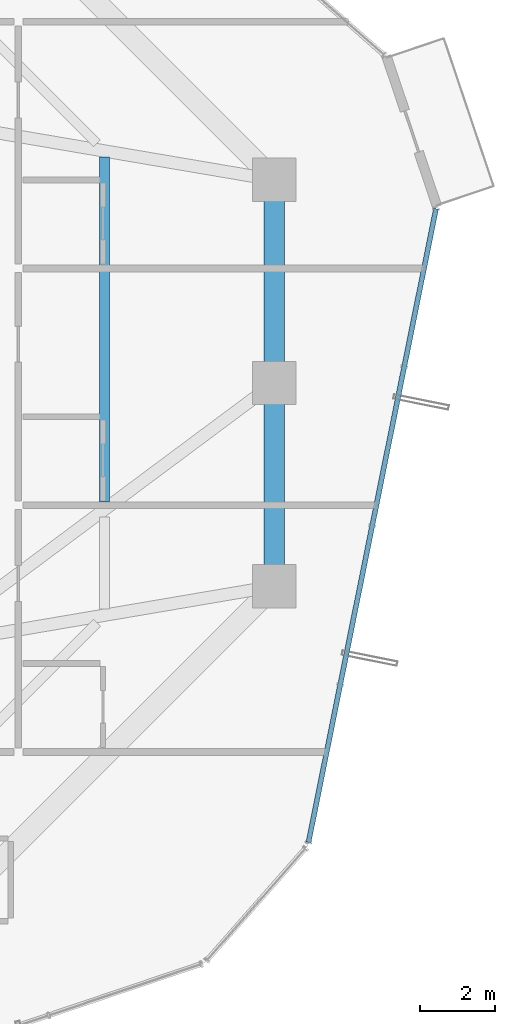
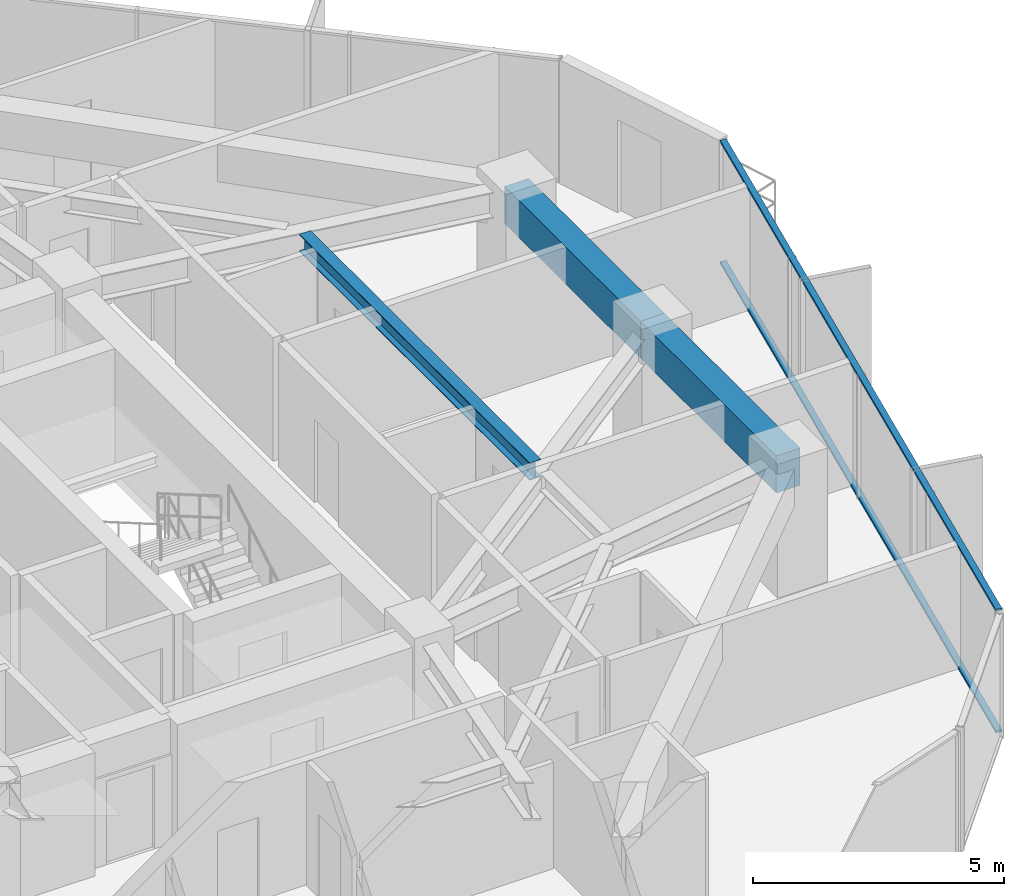
# One storey, part 18 of 32: 3 beams, 2 members, 1 element without a shape of its own.
"""IFC4 building model written with IfcOpenShell, lengths in metres."""

from ifc_helpers import new_model, si_unit, direction, frame, origin, origin_2d, place, context, subcontext, project, spatial, rectangle, hollow_rectangle, i_section, extrude, source, transform, mapped, material, layer, layer_set, material_profile, profile_set, type_object, element, aggregate, save


model = new_model("IFC4")

# Units and contexts
model_context = context("Model", 3, precision=1e-05, world=origin(), true_north=direction((0.0, 1.0)))
body_context = subcontext(model_context, "Body", "Model", "MODEL_VIEW")
ifc_project = project(units=[si_unit("LENGTHUNIT", "METRE"), si_unit("AREAUNIT", "SQUARE_METRE"), si_unit("VOLUMEUNIT", "CUBIC_METRE"), si_unit("PLANEANGLEUNIT", "RADIAN"), si_unit("MASSUNIT", "GRAM", prefix="KILO")], contexts=[model_context])

# Site, building, storey
site_placement = place(None, origin())
site = spatial("IfcSite", under=ifc_project, at=site_placement, CompositionType="ELEMENT")
building_placement = place(site_placement, origin())
building = spatial("IfcBuilding", under=site, at=building_placement, Name="Veraguas Prism Commons", CompositionType="ELEMENT")
storey_placement = place(building_placement, frame((0.0, 0.0, 89.449951171875)))
storey = spatial("IfcBuildingStorey", under=building, at=storey_placement, Name="L24", CompositionType="ELEMENT", Elevation=89.449951171875)

# Beams
ifc_material_1 = material(Name="Steel ASTM A992 Grade 50", Category="steel")
ifc_material_profile_1 = material_profile(ifc_material_1, i_section(OverallWidth=0.260986328125, OverallDepth=0.419921875, WebThickness=0.01171875, FlangeThickness=0.019287109375, at=origin_2d()), Name="W410X114")
ifc_profile_set_1 = profile_set([ifc_material_profile_1], Name="Steel ASTM A992 Grade 50")
beam_type_1 = type_object("IfcBeamType", Name="Lower Floor Joist W410x114", PredefinedType="JOIST", material=ifc_profile_set_1)
beam_placement = place(storey_placement, frame((35.68798828125, 20.842041015625, 2.7900390625), z_axis=(0.0, 1.0, 0.0), x_axis=(-1.0, 0.0, 0.0)))
element("IfcBeam", 1, at=beam_placement, inside=storey, type_object=beam_type_1, Name="Composite Floor Joist L24-JS02", PredefinedType="JOIST", context=body_context, shape_type="SweptSolid", body=[
    extrude(i_section(OverallWidth=0.260986328125, OverallDepth=0.419921875, WebThickness=0.01171875, FlangeThickness=0.019287109375, at=origin_2d()), origin(), (0.0, 0.0, 1.0), 9.16162109375),
])
ifc_material_2 = material(Name="Concrete C50/60", Category="concrete")
ifc_material_profile_2 = material_profile(ifc_material_2, rectangle(XDim=0.550048828125, YDim=0.89990234375, at=origin_2d()), Name="RC550X900")
ifc_profile_set_2 = profile_set([ifc_material_profile_2], Name="Concrete C50/60")
beam_type_2 = type_object("IfcBeamType", Name="Perimeter Spandrel Lower RC 550x900", PredefinedType="SPANDREL", material=ifc_profile_set_2)
for number, where, z_axis, x_axis, name in (
    (2, (40.199951171875, 18.60009765625, 2.550048828125), (0.0, 1.0, 0.0), (-1.0, 0.0, 0.0), "Perimeter Spandrel Beam L24-SP01"),
    (3, (40.199951171875, 24.0, 2.550048828125), (0.0, 1.0, 0.0), (-1.0, 0.0, 0.0), "Perimeter Spandrel Beam L24-SP02"),
):
    element("IfcBeam", number, at=place(storey_placement, frame(where, z_axis=z_axis, x_axis=x_axis)), inside=storey, type_object=beam_type_2, Name=name, PredefinedType="SPANDREL", context=body_context, shape_type="SweptSolid", body=[
        extrude(rectangle(XDim=0.550048828125, YDim=0.89990234375, at=origin_2d()), origin(), (0.0, 0.0, 1.0), 5.39990234375),
    ])

# Curtain wall, members
ifc_material_3 = material(Name="Anodised aluminium EN AW-6063 T6", Category="aluminium")
ifc_layer = layer(ifc_material_3, 0.169921875, Name="Unitised Flush Curtain Wall Zone 2", Category="aluminium")
ifc_layer_set = layer_set([ifc_layer], Name="Anodised aluminium EN AW-6063 T6")
curtain_wall_type = type_object("IfcCurtainWallType", Name="Unitised Flush Curtain Wall Zone 2", PredefinedType="NOTDEFINED", material=ifc_layer_set)
curtain_wall_placement = place(storey_placement, origin())
curtain_wall = element("IfcCurtainWall", 4, at=curtain_wall_placement, inside=storey, type_object=curtain_wall_type, Name="Tower Facade Curtain Wall L24-F6", PredefinedType="NOTDEFINED")
ifc_material_profile_3 = material_profile(ifc_material_3, hollow_rectangle(XDim=0.054931640625, YDim=0.135009765625, WallThickness=0.0029296875, at=origin_2d()), Name="AL55X135X3")
ifc_profile_set_3 = profile_set([ifc_material_profile_3], Name="Anodised aluminium EN AW-6063 T6")
member_type = type_object("IfcMemberType", Name="Curtain Wall Transom Standard AL 55x135x3", PredefinedType="USERDEFINED", material=ifc_profile_set_3)
shared_shape = source(origin(), body_context, "Body", "SweptSolid", [
    extrude(hollow_rectangle(XDim=0.054931640625, YDim=0.135009765625, WallThickness=0.0029296875, at=origin_2d()), origin(), (0.0, 0.0, 1.0), 17.17431640625),
])
member_1_placement = place(storey_placement, frame((41.11083984375, 11.796630859375, 0.027587890625), z_axis=(0.197324297265, 0.980338269022, 0.0), x_axis=(0.0, 0.0, 1.0)))
member_1 = element("IfcMember", 5, at=member_1_placement, type_object=member_type, Name="CW-Z2 Transom 1", ObjectType="TRANSOM", PredefinedType="USERDEFINED", context=body_context, shape_type="MappedRepresentation", body=[
    mapped(shared_shape, transform((0.0, 0.0, 0.0), scale=1.0)),
])
member_2_placement = place(storey_placement, frame((41.11083984375, 11.796630859375, 2.97265625), z_axis=(0.197324297265, 0.980338269022, 0.0), x_axis=(0.0, 0.0, 1.0)))
member_2 = element("IfcMember", 6, at=member_2_placement, type_object=member_type, Name="CW-Z2 Transom 2", ObjectType="TRANSOM", PredefinedType="USERDEFINED", context=body_context, shape_type="MappedRepresentation", body=[
    mapped(shared_shape, transform((0.0, 0.0, 0.0), scale=1.0)),
])
aggregate(curtain_wall, [member_1, member_2])

save(model, "model.ifc")
